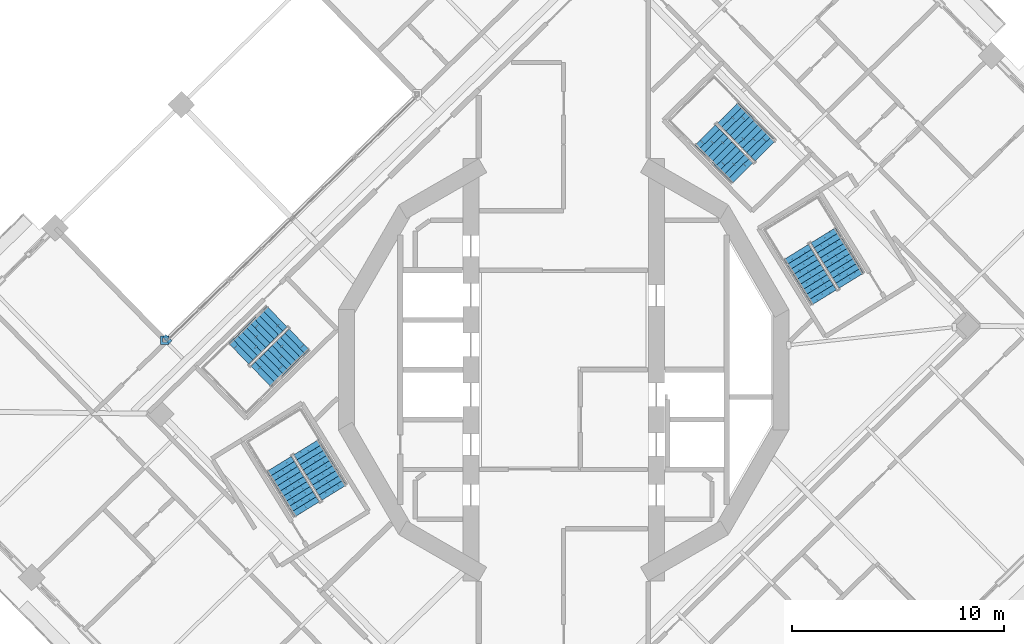
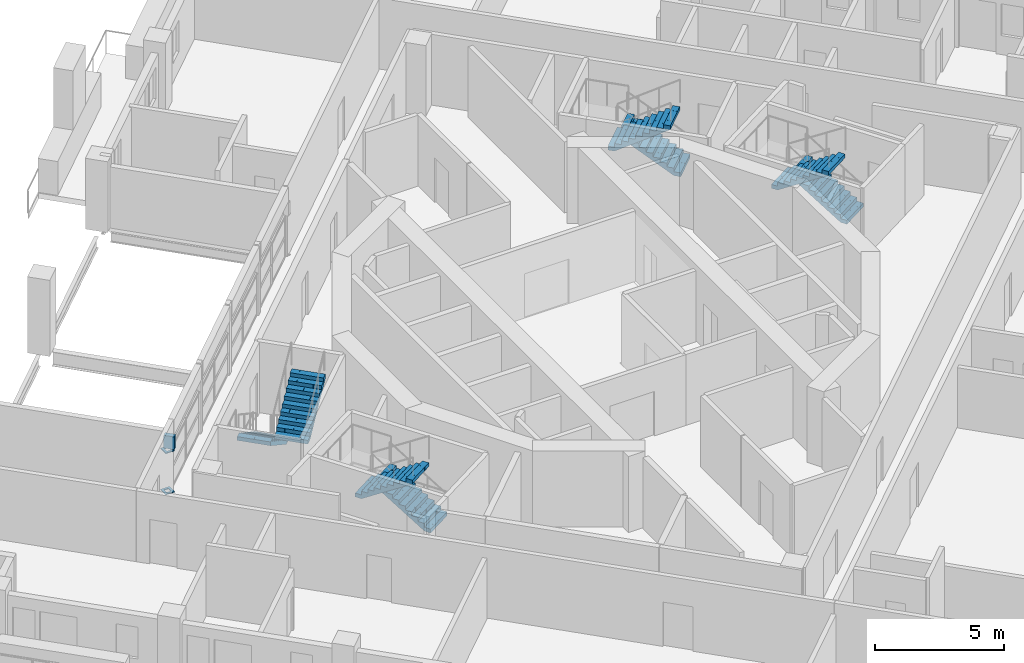
# One storey, part 14 of 21: 8 stair flights, 3 discrete accessories, 4 elements without a shape of their own.
"""IFC4 building model written with IfcOpenShell, lengths in metres."""

from ifc_helpers import new_model, si_unit, direction, frame, origin, place, context, subcontext, project, spatial, polyline, outline, extrude, material, layer, layer_set, type_object, element, aggregate, save


model = new_model("IFC4")

# Units and contexts
model_context = context("Model", 3, precision=1e-05, world=origin(), true_north=direction((0.0, 1.0)))
body_context = subcontext(model_context, "Body", "Model", "MODEL_VIEW")
ifc_project = project(units=[si_unit("LENGTHUNIT", "METRE"), si_unit("AREAUNIT", "SQUARE_METRE"), si_unit("VOLUMEUNIT", "CUBIC_METRE"), si_unit("PLANEANGLEUNIT", "RADIAN"), si_unit("MASSUNIT", "GRAM", prefix="KILO")], contexts=[model_context])

# Site, building, storey
site_placement = place(None, origin())
site = spatial("IfcSite", under=ifc_project, at=site_placement, CompositionType="ELEMENT")
building_placement = place(site_placement, origin())
building = spatial("IfcBuilding", under=site, at=building_placement, Name="Cantera Rosa Tower", CompositionType="ELEMENT")
storey_placement = place(building_placement, frame((0.0, 0.0, 234.199951171875)))
storey = spatial("IfcBuildingStorey", under=building, at=storey_placement, Name="L51", CompositionType="ELEMENT", Elevation=234.199951171875)

# Stair, stair flights
ifc_material_1 = material(Name="Concrete C35/45", Category="concrete")
stair_type = type_object("IfcStairType", Name="EXIT STAIR 1350 DOGLEG", PredefinedType="HALF_TURN_STAIR", material=ifc_material_1)
stair_1_placement = place(storey_placement, origin())
stair_1 = element("IfcStair", 1, at=stair_1_placement, inside=storey, type_object=stair_type, Name="L51 ST-41", PredefinedType="HALF_TURN_STAIR")
ifc_material_2 = material(Name="Concrete C35/45", Category="concrete")
stair_flight_type = type_object("IfcStairFlightType", Name="STAIR FLIGHT 1350 R20x180", PredefinedType="STRAIGHT", material=ifc_material_2)
stair_flight_1_placement = place(storey_placement, frame((13.5732421875, 4.2021484375, 0.0), z_axis=(0.0, 0.0, 1.0), x_axis=(-0.524976585286, 0.851116669383, 0.0)))
stair_flight_1 = element("IfcStairFlight", 2, at=stair_flight_1_placement, type_object=stair_flight_type, Name="ST-41 flight 1", NumberOfRisers=10, NumberOfTreads=9, PredefinedType="STRAIGHT", RiserHeight=0.18, TreadLength=0.28, context=body_context, shape_type="SweptSolid", body=[
    extrude(outline(polyline([(0.0, 0.0), (0.0, 0.179931640625), (0.280029296875, 0.179931640625), (0.280029296875, 0.360107421875), (0.56005859375, 0.360107421875), (0.56005859375, 0.5400390625), (0.840087890625, 0.5400390625), (0.840087890625, 0.719970703125), (1.1201171875, 0.719970703125), (1.1201171875, 0.89990234375), (1.39990234375, 0.89990234375), (1.39990234375, 1.080078125), (1.679931640625, 1.080078125), (1.679931640625, 1.260009765625), (1.9599609375, 1.260009765625), (1.9599609375, 1.43994140625), (2.239990234375, 1.43994140625), (2.239990234375, 1.6201171875), (2.52001953125, 1.6201171875), (2.52001953125, 1.800048828125), (2.52001953125, 1.44189453125), (0.277099609375, 0.0), (0.0, 0.0)])), frame((0.0, 0.675048828125, 0.0), z_axis=(0.0, -1.0, 0.0), x_axis=(1.0, 0.0, 0.0)), (0.0, 0.0, 1.0), 0.3359375),
    extrude(outline(polyline([(0.0, 0.0), (0.0, 0.179931640625), (0.280029296875, 0.179931640625), (0.280029296875, 0.360107421875), (0.56005859375, 0.360107421875), (0.56005859375, 0.5400390625), (0.840087890625, 0.5400390625), (0.840087890625, 0.719970703125), (1.1201171875, 0.719970703125), (1.1201171875, 0.89990234375), (1.39990234375, 0.89990234375), (1.39990234375, 1.080078125), (1.679931640625, 1.080078125), (1.679931640625, 1.260009765625), (1.9599609375, 1.260009765625), (1.9599609375, 1.43994140625), (2.239990234375, 1.43994140625), (2.239990234375, 1.6201171875), (2.52001953125, 1.6201171875), (2.52001953125, 1.800048828125), (2.52001953125, 1.44189453125), (0.277099609375, 0.0), (0.0, 0.0)])), frame((0.0, 0.337158203125, 0.0), z_axis=(0.0, -1.0, 0.0), x_axis=(1.0, 0.0, 0.0)), (0.0, 0.0, 1.0), 0.3359375),
    extrude(outline(polyline([(0.0, 0.0), (0.0, 0.179931640625), (0.280029296875, 0.179931640625), (0.280029296875, 0.360107421875), (0.56005859375, 0.360107421875), (0.56005859375, 0.5400390625), (0.840087890625, 0.5400390625), (0.840087890625, 0.719970703125), (1.1201171875, 0.719970703125), (1.1201171875, 0.89990234375), (1.39990234375, 0.89990234375), (1.39990234375, 1.080078125), (1.679931640625, 1.080078125), (1.679931640625, 1.260009765625), (1.9599609375, 1.260009765625), (1.9599609375, 1.43994140625), (2.239990234375, 1.43994140625), (2.239990234375, 1.6201171875), (2.52001953125, 1.6201171875), (2.52001953125, 1.800048828125), (2.52001953125, 1.44189453125), (0.277099609375, 0.0), (0.0, 0.0)])), frame((0.0, -0.000732421875, 0.0), z_axis=(0.0, -1.0, 0.0), x_axis=(1.0, 0.0, 0.0)), (0.0, 0.0, 1.0), 0.3359375),
    extrude(outline(polyline([(0.0, 0.0), (0.0, 0.179931640625), (0.280029296875, 0.179931640625), (0.280029296875, 0.360107421875), (0.56005859375, 0.360107421875), (0.56005859375, 0.5400390625), (0.840087890625, 0.5400390625), (0.840087890625, 0.719970703125), (1.1201171875, 0.719970703125), (1.1201171875, 0.89990234375), (1.39990234375, 0.89990234375), (1.39990234375, 1.080078125), (1.679931640625, 1.080078125), (1.679931640625, 1.260009765625), (1.9599609375, 1.260009765625), (1.9599609375, 1.43994140625), (2.239990234375, 1.43994140625), (2.239990234375, 1.6201171875), (2.52001953125, 1.6201171875), (2.52001953125, 1.800048828125), (2.52001953125, 1.44189453125), (0.277099609375, 0.0), (0.0, 0.0)])), frame((0.0, -0.338623046875, 0.0), z_axis=(0.0, -1.0, 0.0), x_axis=(1.0, 0.0, 0.0)), (0.0, 0.0, 1.0), 0.3359375),
])
stair_flight_2_placement = place(storey_placement, frame((10.9736328125, 5.5595703125, 1.800048828125), z_axis=(0.0, 0.0, 1.0), x_axis=(0.524976585286, -0.851116669383, 0.0)))
stair_flight_2 = element("IfcStairFlight", 3, at=stair_flight_2_placement, type_object=stair_flight_type, Name="ST-41 flight 2", NumberOfRisers=10, NumberOfTreads=9, PredefinedType="STRAIGHT", RiserHeight=0.18, TreadLength=0.28, context=body_context, shape_type="SweptSolid", body=[
    extrude(outline(polyline([(0.0, 0.0), (0.0, 0.179931640625), (0.280029296875, 0.179931640625), (0.280029296875, 0.360107421875), (0.56005859375, 0.360107421875), (0.56005859375, 0.5400390625), (0.840087890625, 0.5400390625), (0.840087890625, 0.719970703125), (1.1201171875, 0.719970703125), (1.1201171875, 0.89990234375), (1.39990234375, 0.89990234375), (1.39990234375, 1.080078125), (1.679931640625, 1.080078125), (1.679931640625, 1.260009765625), (1.9599609375, 1.260009765625), (1.9599609375, 1.43994140625), (2.239990234375, 1.43994140625), (2.239990234375, 1.6201171875), (2.52001953125, 1.6201171875), (2.52001953125, 1.800048828125), (2.52001953125, 1.44189453125), (0.277099609375, 0.0), (0.0, 0.0)])), frame((0.0, 0.675048828125, 0.0), z_axis=(0.0, -1.0, 0.0), x_axis=(1.0, 0.0, 0.0)), (0.0, 0.0, 1.0), 0.3359375),
    extrude(outline(polyline([(0.0, 0.0), (0.0, 0.179931640625), (0.280029296875, 0.179931640625), (0.280029296875, 0.360107421875), (0.56005859375, 0.360107421875), (0.56005859375, 0.5400390625), (0.840087890625, 0.5400390625), (0.840087890625, 0.719970703125), (1.1201171875, 0.719970703125), (1.1201171875, 0.89990234375), (1.39990234375, 0.89990234375), (1.39990234375, 1.080078125), (1.679931640625, 1.080078125), (1.679931640625, 1.260009765625), (1.9599609375, 1.260009765625), (1.9599609375, 1.43994140625), (2.239990234375, 1.43994140625), (2.239990234375, 1.6201171875), (2.52001953125, 1.6201171875), (2.52001953125, 1.800048828125), (2.52001953125, 1.44189453125), (0.277099609375, 0.0), (0.0, 0.0)])), frame((0.0, 0.337158203125, 0.0), z_axis=(0.0, -1.0, 0.0), x_axis=(1.0, 0.0, 0.0)), (0.0, 0.0, 1.0), 0.3359375),
    extrude(outline(polyline([(0.0, 0.0), (0.0, 0.179931640625), (0.280029296875, 0.179931640625), (0.280029296875, 0.360107421875), (0.56005859375, 0.360107421875), (0.56005859375, 0.5400390625), (0.840087890625, 0.5400390625), (0.840087890625, 0.719970703125), (1.1201171875, 0.719970703125), (1.1201171875, 0.89990234375), (1.39990234375, 0.89990234375), (1.39990234375, 1.080078125), (1.679931640625, 1.080078125), (1.679931640625, 1.260009765625), (1.9599609375, 1.260009765625), (1.9599609375, 1.43994140625), (2.239990234375, 1.43994140625), (2.239990234375, 1.6201171875), (2.52001953125, 1.6201171875), (2.52001953125, 1.800048828125), (2.52001953125, 1.44189453125), (0.277099609375, 0.0), (0.0, 0.0)])), frame((0.0, -0.000732421875, 0.0), z_axis=(0.0, -1.0, 0.0), x_axis=(1.0, 0.0, 0.0)), (0.0, 0.0, 1.0), 0.3359375),
    extrude(outline(polyline([(0.0, 0.0), (0.0, 0.179931640625), (0.280029296875, 0.179931640625), (0.280029296875, 0.360107421875), (0.56005859375, 0.360107421875), (0.56005859375, 0.5400390625), (0.840087890625, 0.5400390625), (0.840087890625, 0.719970703125), (1.1201171875, 0.719970703125), (1.1201171875, 0.89990234375), (1.39990234375, 0.89990234375), (1.39990234375, 1.080078125), (1.679931640625, 1.080078125), (1.679931640625, 1.260009765625), (1.9599609375, 1.260009765625), (1.9599609375, 1.43994140625), (2.239990234375, 1.43994140625), (2.239990234375, 1.6201171875), (2.52001953125, 1.6201171875), (2.52001953125, 1.800048828125), (2.52001953125, 1.44189453125), (0.277099609375, 0.0), (0.0, 0.0)])), frame((0.0, -0.338623046875, 0.0), z_axis=(0.0, -1.0, 0.0), x_axis=(1.0, 0.0, 0.0)), (0.0, 0.0, 1.0), 0.3359375),
])
aggregate(stair_1, [stair_flight_1, stair_flight_2])

stair_2_placement = place(storey_placement, origin())
stair_2 = element("IfcStair", 4, at=stair_2_placement, inside=storey, type_object=stair_type, Name="L51 ST-42", PredefinedType="HALF_TURN_STAIR")
stair_flight_3_placement = place(storey_placement, frame((9.514892578125, 10.32275390625, 0.0), z_axis=(0.0, 0.0, 1.0), x_axis=(-0.698831536207, 0.715286295132, 0.0)))
stair_flight_3 = element("IfcStairFlight", 5, at=stair_flight_3_placement, type_object=stair_flight_type, Name="ST-42 flight 1", NumberOfRisers=10, NumberOfTreads=9, PredefinedType="STRAIGHT", RiserHeight=0.18, TreadLength=0.28, context=body_context, shape_type="SweptSolid", body=[
    extrude(outline(polyline([(0.0, 0.0), (0.0, 0.179931640625), (0.280029296875, 0.179931640625), (0.280029296875, 0.360107421875), (0.56005859375, 0.360107421875), (0.56005859375, 0.5400390625), (0.840087890625, 0.5400390625), (0.840087890625, 0.719970703125), (1.1201171875, 0.719970703125), (1.1201171875, 0.89990234375), (1.39990234375, 0.89990234375), (1.39990234375, 1.080078125), (1.679931640625, 1.080078125), (1.679931640625, 1.260009765625), (1.9599609375, 1.260009765625), (1.9599609375, 1.43994140625), (2.239990234375, 1.43994140625), (2.239990234375, 1.6201171875), (2.52001953125, 1.6201171875), (2.52001953125, 1.800048828125), (2.52001953125, 1.44189453125), (0.277099609375, 0.0), (0.0, 0.0)])), frame((0.0, 0.675048828125, 0.0), z_axis=(0.0, -1.0, 0.0), x_axis=(1.0, 0.0, 0.0)), (0.0, 0.0, 1.0), 0.3359375),
    extrude(outline(polyline([(0.0, 0.0), (0.0, 0.179931640625), (0.280029296875, 0.179931640625), (0.280029296875, 0.360107421875), (0.56005859375, 0.360107421875), (0.56005859375, 0.5400390625), (0.840087890625, 0.5400390625), (0.840087890625, 0.719970703125), (1.1201171875, 0.719970703125), (1.1201171875, 0.89990234375), (1.39990234375, 0.89990234375), (1.39990234375, 1.080078125), (1.679931640625, 1.080078125), (1.679931640625, 1.260009765625), (1.9599609375, 1.260009765625), (1.9599609375, 1.43994140625), (2.239990234375, 1.43994140625), (2.239990234375, 1.6201171875), (2.52001953125, 1.6201171875), (2.52001953125, 1.800048828125), (2.52001953125, 1.44189453125), (0.277099609375, 0.0), (0.0, 0.0)])), frame((0.0, 0.337158203125, 0.0), z_axis=(0.0, -1.0, 0.0), x_axis=(1.0, 0.0, 0.0)), (0.0, 0.0, 1.0), 0.3359375),
    extrude(outline(polyline([(0.0, 0.0), (0.0, 0.179931640625), (0.280029296875, 0.179931640625), (0.280029296875, 0.360107421875), (0.56005859375, 0.360107421875), (0.56005859375, 0.5400390625), (0.840087890625, 0.5400390625), (0.840087890625, 0.719970703125), (1.1201171875, 0.719970703125), (1.1201171875, 0.89990234375), (1.39990234375, 0.89990234375), (1.39990234375, 1.080078125), (1.679931640625, 1.080078125), (1.679931640625, 1.260009765625), (1.9599609375, 1.260009765625), (1.9599609375, 1.43994140625), (2.239990234375, 1.43994140625), (2.239990234375, 1.6201171875), (2.52001953125, 1.6201171875), (2.52001953125, 1.800048828125), (2.52001953125, 1.44189453125), (0.277099609375, 0.0), (0.0, 0.0)])), frame((0.0, -0.000732421875, 0.0), z_axis=(0.0, -1.0, 0.0), x_axis=(1.0, 0.0, 0.0)), (0.0, 0.0, 1.0), 0.3359375),
    extrude(outline(polyline([(0.0, 0.0), (0.0, 0.179931640625), (0.280029296875, 0.179931640625), (0.280029296875, 0.360107421875), (0.56005859375, 0.360107421875), (0.56005859375, 0.5400390625), (0.840087890625, 0.5400390625), (0.840087890625, 0.719970703125), (1.1201171875, 0.719970703125), (1.1201171875, 0.89990234375), (1.39990234375, 0.89990234375), (1.39990234375, 1.080078125), (1.679931640625, 1.080078125), (1.679931640625, 1.260009765625), (1.9599609375, 1.260009765625), (1.9599609375, 1.43994140625), (2.239990234375, 1.43994140625), (2.239990234375, 1.6201171875), (2.52001953125, 1.6201171875), (2.52001953125, 1.800048828125), (2.52001953125, 1.44189453125), (0.277099609375, 0.0), (0.0, 0.0)])), frame((0.0, -0.338623046875, 0.0), z_axis=(0.0, -1.0, 0.0), x_axis=(1.0, 0.0, 0.0)), (0.0, 0.0, 1.0), 0.3359375),
])
stair_flight_4_placement = place(storey_placement, frame((6.680908203125, 11.076904296875, 1.800048828125), z_axis=(0.0, 0.0, 1.0), x_axis=(0.698831536207, -0.715286295132, 0.0)))
stair_flight_4 = element("IfcStairFlight", 6, at=stair_flight_4_placement, type_object=stair_flight_type, Name="ST-42 flight 2", NumberOfRisers=10, NumberOfTreads=9, PredefinedType="STRAIGHT", RiserHeight=0.18, TreadLength=0.28, context=body_context, shape_type="SweptSolid", body=[
    extrude(outline(polyline([(0.0, 0.0), (0.0, 0.179931640625), (0.280029296875, 0.179931640625), (0.280029296875, 0.360107421875), (0.56005859375, 0.360107421875), (0.56005859375, 0.5400390625), (0.840087890625, 0.5400390625), (0.840087890625, 0.719970703125), (1.1201171875, 0.719970703125), (1.1201171875, 0.89990234375), (1.39990234375, 0.89990234375), (1.39990234375, 1.080078125), (1.679931640625, 1.080078125), (1.679931640625, 1.260009765625), (1.9599609375, 1.260009765625), (1.9599609375, 1.43994140625), (2.239990234375, 1.43994140625), (2.239990234375, 1.6201171875), (2.52001953125, 1.6201171875), (2.52001953125, 1.800048828125), (2.52001953125, 1.44189453125), (0.277099609375, 0.0), (0.0, 0.0)])), frame((0.0, 0.675048828125, 0.0), z_axis=(0.0, -1.0, 0.0), x_axis=(1.0, 0.0, 0.0)), (0.0, 0.0, 1.0), 0.3359375),
    extrude(outline(polyline([(0.0, 0.0), (0.0, 0.179931640625), (0.280029296875, 0.179931640625), (0.280029296875, 0.360107421875), (0.56005859375, 0.360107421875), (0.56005859375, 0.5400390625), (0.840087890625, 0.5400390625), (0.840087890625, 0.719970703125), (1.1201171875, 0.719970703125), (1.1201171875, 0.89990234375), (1.39990234375, 0.89990234375), (1.39990234375, 1.080078125), (1.679931640625, 1.080078125), (1.679931640625, 1.260009765625), (1.9599609375, 1.260009765625), (1.9599609375, 1.43994140625), (2.239990234375, 1.43994140625), (2.239990234375, 1.6201171875), (2.52001953125, 1.6201171875), (2.52001953125, 1.800048828125), (2.52001953125, 1.44189453125), (0.277099609375, 0.0), (0.0, 0.0)])), frame((0.0, 0.337158203125, 0.0), z_axis=(0.0, -1.0, 0.0), x_axis=(1.0, 0.0, 0.0)), (0.0, 0.0, 1.0), 0.3359375),
    extrude(outline(polyline([(0.0, 0.0), (0.0, 0.179931640625), (0.280029296875, 0.179931640625), (0.280029296875, 0.360107421875), (0.56005859375, 0.360107421875), (0.56005859375, 0.5400390625), (0.840087890625, 0.5400390625), (0.840087890625, 0.719970703125), (1.1201171875, 0.719970703125), (1.1201171875, 0.89990234375), (1.39990234375, 0.89990234375), (1.39990234375, 1.080078125), (1.679931640625, 1.080078125), (1.679931640625, 1.260009765625), (1.9599609375, 1.260009765625), (1.9599609375, 1.43994140625), (2.239990234375, 1.43994140625), (2.239990234375, 1.6201171875), (2.52001953125, 1.6201171875), (2.52001953125, 1.800048828125), (2.52001953125, 1.44189453125), (0.277099609375, 0.0), (0.0, 0.0)])), frame((0.0, -0.000732421875, 0.0), z_axis=(0.0, -1.0, 0.0), x_axis=(1.0, 0.0, 0.0)), (0.0, 0.0, 1.0), 0.3359375),
    extrude(outline(polyline([(0.0, 0.0), (0.0, 0.179931640625), (0.280029296875, 0.179931640625), (0.280029296875, 0.360107421875), (0.56005859375, 0.360107421875), (0.56005859375, 0.5400390625), (0.840087890625, 0.5400390625), (0.840087890625, 0.719970703125), (1.1201171875, 0.719970703125), (1.1201171875, 0.89990234375), (1.39990234375, 0.89990234375), (1.39990234375, 1.080078125), (1.679931640625, 1.080078125), (1.679931640625, 1.260009765625), (1.9599609375, 1.260009765625), (1.9599609375, 1.43994140625), (2.239990234375, 1.43994140625), (2.239990234375, 1.6201171875), (2.52001953125, 1.6201171875), (2.52001953125, 1.800048828125), (2.52001953125, 1.44189453125), (0.277099609375, 0.0), (0.0, 0.0)])), frame((0.0, -0.338623046875, 0.0), z_axis=(0.0, -1.0, 0.0), x_axis=(1.0, 0.0, 0.0)), (0.0, 0.0, 1.0), 0.3359375),
])
aggregate(stair_2, [stair_flight_3, stair_flight_4])

stair_3_placement = place(storey_placement, origin())
stair_3 = element("IfcStair", 7, at=stair_3_placement, inside=storey, type_object=stair_type, Name="L51 ST-43", PredefinedType="HALF_TURN_STAIR")
stair_flight_5_placement = place(storey_placement, frame((-13.522705078125, 2.514892578125, 0.0), z_axis=(0.0, 0.0, 1.0), x_axis=(-0.715286295132, -0.698831536207, 0.0)))
stair_flight_5 = element("IfcStairFlight", 8, at=stair_flight_5_placement, type_object=stair_flight_type, Name="ST-43 flight 1", NumberOfRisers=10, NumberOfTreads=9, PredefinedType="STRAIGHT", RiserHeight=0.18, TreadLength=0.28, context=body_context, shape_type="SweptSolid", body=[
    extrude(outline(polyline([(0.0, 0.0), (0.0, 0.179931640625), (0.280029296875, 0.179931640625), (0.280029296875, 0.360107421875), (0.56005859375, 0.360107421875), (0.56005859375, 0.5400390625), (0.840087890625, 0.5400390625), (0.840087890625, 0.719970703125), (1.1201171875, 0.719970703125), (1.1201171875, 0.89990234375), (1.39990234375, 0.89990234375), (1.39990234375, 1.080078125), (1.679931640625, 1.080078125), (1.679931640625, 1.260009765625), (1.9599609375, 1.260009765625), (1.9599609375, 1.43994140625), (2.239990234375, 1.43994140625), (2.239990234375, 1.6201171875), (2.52001953125, 1.6201171875), (2.52001953125, 1.800048828125), (2.52001953125, 1.44189453125), (0.277099609375, 0.0), (0.0, 0.0)])), frame((0.0, 0.675048828125, 0.0), z_axis=(0.0, -1.0, 0.0), x_axis=(1.0, 0.0, 0.0)), (0.0, 0.0, 1.0), 0.3359375),
    extrude(outline(polyline([(0.0, 0.0), (0.0, 0.179931640625), (0.280029296875, 0.179931640625), (0.280029296875, 0.360107421875), (0.56005859375, 0.360107421875), (0.56005859375, 0.5400390625), (0.840087890625, 0.5400390625), (0.840087890625, 0.719970703125), (1.1201171875, 0.719970703125), (1.1201171875, 0.89990234375), (1.39990234375, 0.89990234375), (1.39990234375, 1.080078125), (1.679931640625, 1.080078125), (1.679931640625, 1.260009765625), (1.9599609375, 1.260009765625), (1.9599609375, 1.43994140625), (2.239990234375, 1.43994140625), (2.239990234375, 1.6201171875), (2.52001953125, 1.6201171875), (2.52001953125, 1.800048828125), (2.52001953125, 1.44189453125), (0.277099609375, 0.0), (0.0, 0.0)])), frame((0.0, 0.337158203125, 0.0), z_axis=(0.0, -1.0, 0.0), x_axis=(1.0, 0.0, 0.0)), (0.0, 0.0, 1.0), 0.3359375),
    extrude(outline(polyline([(0.0, 0.0), (0.0, 0.179931640625), (0.280029296875, 0.179931640625), (0.280029296875, 0.360107421875), (0.56005859375, 0.360107421875), (0.56005859375, 0.5400390625), (0.840087890625, 0.5400390625), (0.840087890625, 0.719970703125), (1.1201171875, 0.719970703125), (1.1201171875, 0.89990234375), (1.39990234375, 0.89990234375), (1.39990234375, 1.080078125), (1.679931640625, 1.080078125), (1.679931640625, 1.260009765625), (1.9599609375, 1.260009765625), (1.9599609375, 1.43994140625), (2.239990234375, 1.43994140625), (2.239990234375, 1.6201171875), (2.52001953125, 1.6201171875), (2.52001953125, 1.800048828125), (2.52001953125, 1.44189453125), (0.277099609375, 0.0), (0.0, 0.0)])), frame((0.0, -0.000732421875, 0.0), z_axis=(0.0, -1.0, 0.0), x_axis=(1.0, 0.0, 0.0)), (0.0, 0.0, 1.0), 0.3359375),
    extrude(outline(polyline([(0.0, 0.0), (0.0, 0.179931640625), (0.280029296875, 0.179931640625), (0.280029296875, 0.360107421875), (0.56005859375, 0.360107421875), (0.56005859375, 0.5400390625), (0.840087890625, 0.5400390625), (0.840087890625, 0.719970703125), (1.1201171875, 0.719970703125), (1.1201171875, 0.89990234375), (1.39990234375, 0.89990234375), (1.39990234375, 1.080078125), (1.679931640625, 1.080078125), (1.679931640625, 1.260009765625), (1.9599609375, 1.260009765625), (1.9599609375, 1.43994140625), (2.239990234375, 1.43994140625), (2.239990234375, 1.6201171875), (2.52001953125, 1.6201171875), (2.52001953125, 1.800048828125), (2.52001953125, 1.44189453125), (0.277099609375, 0.0), (0.0, 0.0)])), frame((0.0, -0.338623046875, 0.0), z_axis=(0.0, -1.0, 0.0), x_axis=(1.0, 0.0, 0.0)), (0.0, 0.0, 1.0), 0.3359375),
])
stair_flight_6_placement = place(storey_placement, frame((-14.277099609375, -0.319091796875, 1.800048828125), z_axis=(0.0, 0.0, 1.0), x_axis=(0.715286295132, 0.698831536207, 0.0)))
stair_flight_6 = element("IfcStairFlight", 9, at=stair_flight_6_placement, type_object=stair_flight_type, Name="ST-43 flight 2", NumberOfRisers=10, NumberOfTreads=9, PredefinedType="STRAIGHT", RiserHeight=0.18, TreadLength=0.28, context=body_context, shape_type="SweptSolid", body=[
    extrude(outline(polyline([(0.0, 0.0), (0.0, 0.179931640625), (0.280029296875, 0.179931640625), (0.280029296875, 0.360107421875), (0.56005859375, 0.360107421875), (0.56005859375, 0.5400390625), (0.840087890625, 0.5400390625), (0.840087890625, 0.719970703125), (1.1201171875, 0.719970703125), (1.1201171875, 0.89990234375), (1.39990234375, 0.89990234375), (1.39990234375, 1.080078125), (1.679931640625, 1.080078125), (1.679931640625, 1.260009765625), (1.9599609375, 1.260009765625), (1.9599609375, 1.43994140625), (2.239990234375, 1.43994140625), (2.239990234375, 1.6201171875), (2.52001953125, 1.6201171875), (2.52001953125, 1.800048828125), (2.52001953125, 1.44189453125), (0.277099609375, 0.0), (0.0, 0.0)])), frame((0.0, 0.675048828125, 0.0), z_axis=(0.0, -1.0, 0.0), x_axis=(1.0, 0.0, 0.0)), (0.0, 0.0, 1.0), 0.3359375),
    extrude(outline(polyline([(0.0, 0.0), (0.0, 0.179931640625), (0.280029296875, 0.179931640625), (0.280029296875, 0.360107421875), (0.56005859375, 0.360107421875), (0.56005859375, 0.5400390625), (0.840087890625, 0.5400390625), (0.840087890625, 0.719970703125), (1.1201171875, 0.719970703125), (1.1201171875, 0.89990234375), (1.39990234375, 0.89990234375), (1.39990234375, 1.080078125), (1.679931640625, 1.080078125), (1.679931640625, 1.260009765625), (1.9599609375, 1.260009765625), (1.9599609375, 1.43994140625), (2.239990234375, 1.43994140625), (2.239990234375, 1.6201171875), (2.52001953125, 1.6201171875), (2.52001953125, 1.800048828125), (2.52001953125, 1.44189453125), (0.277099609375, 0.0), (0.0, 0.0)])), frame((0.0, 0.337158203125, 0.0), z_axis=(0.0, -1.0, 0.0), x_axis=(1.0, 0.0, 0.0)), (0.0, 0.0, 1.0), 0.3359375),
    extrude(outline(polyline([(0.0, 0.0), (0.0, 0.179931640625), (0.280029296875, 0.179931640625), (0.280029296875, 0.360107421875), (0.56005859375, 0.360107421875), (0.56005859375, 0.5400390625), (0.840087890625, 0.5400390625), (0.840087890625, 0.719970703125), (1.1201171875, 0.719970703125), (1.1201171875, 0.89990234375), (1.39990234375, 0.89990234375), (1.39990234375, 1.080078125), (1.679931640625, 1.080078125), (1.679931640625, 1.260009765625), (1.9599609375, 1.260009765625), (1.9599609375, 1.43994140625), (2.239990234375, 1.43994140625), (2.239990234375, 1.6201171875), (2.52001953125, 1.6201171875), (2.52001953125, 1.800048828125), (2.52001953125, 1.44189453125), (0.277099609375, 0.0), (0.0, 0.0)])), frame((0.0, -0.000732421875, 0.0), z_axis=(0.0, -1.0, 0.0), x_axis=(1.0, 0.0, 0.0)), (0.0, 0.0, 1.0), 0.3359375),
    extrude(outline(polyline([(0.0, 0.0), (0.0, 0.179931640625), (0.280029296875, 0.179931640625), (0.280029296875, 0.360107421875), (0.56005859375, 0.360107421875), (0.56005859375, 0.5400390625), (0.840087890625, 0.5400390625), (0.840087890625, 0.719970703125), (1.1201171875, 0.719970703125), (1.1201171875, 0.89990234375), (1.39990234375, 0.89990234375), (1.39990234375, 1.080078125), (1.679931640625, 1.080078125), (1.679931640625, 1.260009765625), (1.9599609375, 1.260009765625), (1.9599609375, 1.43994140625), (2.239990234375, 1.43994140625), (2.239990234375, 1.6201171875), (2.52001953125, 1.6201171875), (2.52001953125, 1.800048828125), (2.52001953125, 1.44189453125), (0.277099609375, 0.0), (0.0, 0.0)])), frame((0.0, -0.338623046875, 0.0), z_axis=(0.0, -1.0, 0.0), x_axis=(1.0, 0.0, 0.0)), (0.0, 0.0, 1.0), 0.3359375),
])
aggregate(stair_3, [stair_flight_5, stair_flight_6])

stair_4_placement = place(storey_placement, origin())
stair_4 = element("IfcStair", 10, at=stair_4_placement, inside=storey, type_object=stair_type, Name="L51 ST-44", PredefinedType="HALF_TURN_STAIR")
stair_flight_7_placement = place(storey_placement, frame((-10.82666015625, -5.7978515625, 0.0), z_axis=(0.0, 0.0, 1.0), x_axis=(-0.524976585286, 0.851116669383, 0.0)))
stair_flight_7 = element("IfcStairFlight", 11, at=stair_flight_7_placement, type_object=stair_flight_type, Name="ST-44 flight 1", NumberOfRisers=10, NumberOfTreads=9, PredefinedType="STRAIGHT", RiserHeight=0.18, TreadLength=0.28, context=body_context, shape_type="SweptSolid", body=[
    extrude(outline(polyline([(0.0, 0.0), (0.0, 0.179931640625), (0.280029296875, 0.179931640625), (0.280029296875, 0.360107421875), (0.56005859375, 0.360107421875), (0.56005859375, 0.5400390625), (0.840087890625, 0.5400390625), (0.840087890625, 0.719970703125), (1.1201171875, 0.719970703125), (1.1201171875, 0.89990234375), (1.39990234375, 0.89990234375), (1.39990234375, 1.080078125), (1.679931640625, 1.080078125), (1.679931640625, 1.260009765625), (1.9599609375, 1.260009765625), (1.9599609375, 1.43994140625), (2.239990234375, 1.43994140625), (2.239990234375, 1.6201171875), (2.52001953125, 1.6201171875), (2.52001953125, 1.800048828125), (2.52001953125, 1.44189453125), (0.277099609375, 0.0), (0.0, 0.0)])), frame((0.0, 0.675048828125, 0.0), z_axis=(0.0, -1.0, 0.0), x_axis=(1.0, 0.0, 0.0)), (0.0, 0.0, 1.0), 0.3359375),
    extrude(outline(polyline([(0.0, 0.0), (0.0, 0.179931640625), (0.280029296875, 0.179931640625), (0.280029296875, 0.360107421875), (0.56005859375, 0.360107421875), (0.56005859375, 0.5400390625), (0.840087890625, 0.5400390625), (0.840087890625, 0.719970703125), (1.1201171875, 0.719970703125), (1.1201171875, 0.89990234375), (1.39990234375, 0.89990234375), (1.39990234375, 1.080078125), (1.679931640625, 1.080078125), (1.679931640625, 1.260009765625), (1.9599609375, 1.260009765625), (1.9599609375, 1.43994140625), (2.239990234375, 1.43994140625), (2.239990234375, 1.6201171875), (2.52001953125, 1.6201171875), (2.52001953125, 1.800048828125), (2.52001953125, 1.44189453125), (0.277099609375, 0.0), (0.0, 0.0)])), frame((0.0, 0.337158203125, 0.0), z_axis=(0.0, -1.0, 0.0), x_axis=(1.0, 0.0, 0.0)), (0.0, 0.0, 1.0), 0.3359375),
    extrude(outline(polyline([(0.0, 0.0), (0.0, 0.179931640625), (0.280029296875, 0.179931640625), (0.280029296875, 0.360107421875), (0.56005859375, 0.360107421875), (0.56005859375, 0.5400390625), (0.840087890625, 0.5400390625), (0.840087890625, 0.719970703125), (1.1201171875, 0.719970703125), (1.1201171875, 0.89990234375), (1.39990234375, 0.89990234375), (1.39990234375, 1.080078125), (1.679931640625, 1.080078125), (1.679931640625, 1.260009765625), (1.9599609375, 1.260009765625), (1.9599609375, 1.43994140625), (2.239990234375, 1.43994140625), (2.239990234375, 1.6201171875), (2.52001953125, 1.6201171875), (2.52001953125, 1.800048828125), (2.52001953125, 1.44189453125), (0.277099609375, 0.0), (0.0, 0.0)])), frame((0.0, -0.000732421875, 0.0), z_axis=(0.0, -1.0, 0.0), x_axis=(1.0, 0.0, 0.0)), (0.0, 0.0, 1.0), 0.3359375),
    extrude(outline(polyline([(0.0, 0.0), (0.0, 0.179931640625), (0.280029296875, 0.179931640625), (0.280029296875, 0.360107421875), (0.56005859375, 0.360107421875), (0.56005859375, 0.5400390625), (0.840087890625, 0.5400390625), (0.840087890625, 0.719970703125), (1.1201171875, 0.719970703125), (1.1201171875, 0.89990234375), (1.39990234375, 0.89990234375), (1.39990234375, 1.080078125), (1.679931640625, 1.080078125), (1.679931640625, 1.260009765625), (1.9599609375, 1.260009765625), (1.9599609375, 1.43994140625), (2.239990234375, 1.43994140625), (2.239990234375, 1.6201171875), (2.52001953125, 1.6201171875), (2.52001953125, 1.800048828125), (2.52001953125, 1.44189453125), (0.277099609375, 0.0), (0.0, 0.0)])), frame((0.0, -0.338623046875, 0.0), z_axis=(0.0, -1.0, 0.0), x_axis=(1.0, 0.0, 0.0)), (0.0, 0.0, 1.0), 0.3359375),
])
stair_flight_8_placement = place(storey_placement, frame((-13.42626953125, -4.4404296875, 1.800048828125), z_axis=(0.0, 0.0, 1.0), x_axis=(0.524976585286, -0.851116669383, 0.0)))
stair_flight_8 = element("IfcStairFlight", 12, at=stair_flight_8_placement, type_object=stair_flight_type, Name="ST-44 flight 2", NumberOfRisers=10, NumberOfTreads=9, PredefinedType="STRAIGHT", RiserHeight=0.18, TreadLength=0.28, context=body_context, shape_type="SweptSolid", body=[
    extrude(outline(polyline([(0.0, 0.0), (0.0, 0.179931640625), (0.280029296875, 0.179931640625), (0.280029296875, 0.360107421875), (0.56005859375, 0.360107421875), (0.56005859375, 0.5400390625), (0.840087890625, 0.5400390625), (0.840087890625, 0.719970703125), (1.1201171875, 0.719970703125), (1.1201171875, 0.89990234375), (1.39990234375, 0.89990234375), (1.39990234375, 1.080078125), (1.679931640625, 1.080078125), (1.679931640625, 1.260009765625), (1.9599609375, 1.260009765625), (1.9599609375, 1.43994140625), (2.239990234375, 1.43994140625), (2.239990234375, 1.6201171875), (2.52001953125, 1.6201171875), (2.52001953125, 1.800048828125), (2.52001953125, 1.44189453125), (0.277099609375, 0.0), (0.0, 0.0)])), frame((0.0, 0.675048828125, 0.0), z_axis=(0.0, -1.0, 0.0), x_axis=(1.0, 0.0, 0.0)), (0.0, 0.0, 1.0), 0.3359375),
    extrude(outline(polyline([(0.0, 0.0), (0.0, 0.179931640625), (0.280029296875, 0.179931640625), (0.280029296875, 0.360107421875), (0.56005859375, 0.360107421875), (0.56005859375, 0.5400390625), (0.840087890625, 0.5400390625), (0.840087890625, 0.719970703125), (1.1201171875, 0.719970703125), (1.1201171875, 0.89990234375), (1.39990234375, 0.89990234375), (1.39990234375, 1.080078125), (1.679931640625, 1.080078125), (1.679931640625, 1.260009765625), (1.9599609375, 1.260009765625), (1.9599609375, 1.43994140625), (2.239990234375, 1.43994140625), (2.239990234375, 1.6201171875), (2.52001953125, 1.6201171875), (2.52001953125, 1.800048828125), (2.52001953125, 1.44189453125), (0.277099609375, 0.0), (0.0, 0.0)])), frame((0.0, 0.337158203125, 0.0), z_axis=(0.0, -1.0, 0.0), x_axis=(1.0, 0.0, 0.0)), (0.0, 0.0, 1.0), 0.3359375),
    extrude(outline(polyline([(0.0, 0.0), (0.0, 0.179931640625), (0.280029296875, 0.179931640625), (0.280029296875, 0.360107421875), (0.56005859375, 0.360107421875), (0.56005859375, 0.5400390625), (0.840087890625, 0.5400390625), (0.840087890625, 0.719970703125), (1.1201171875, 0.719970703125), (1.1201171875, 0.89990234375), (1.39990234375, 0.89990234375), (1.39990234375, 1.080078125), (1.679931640625, 1.080078125), (1.679931640625, 1.260009765625), (1.9599609375, 1.260009765625), (1.9599609375, 1.43994140625), (2.239990234375, 1.43994140625), (2.239990234375, 1.6201171875), (2.52001953125, 1.6201171875), (2.52001953125, 1.800048828125), (2.52001953125, 1.44189453125), (0.277099609375, 0.0), (0.0, 0.0)])), frame((0.0, -0.000732421875, 0.0), z_axis=(0.0, -1.0, 0.0), x_axis=(1.0, 0.0, 0.0)), (0.0, 0.0, 1.0), 0.3359375),
    extrude(outline(polyline([(0.0, 0.0), (0.0, 0.179931640625), (0.280029296875, 0.179931640625), (0.280029296875, 0.360107421875), (0.56005859375, 0.360107421875), (0.56005859375, 0.5400390625), (0.840087890625, 0.5400390625), (0.840087890625, 0.719970703125), (1.1201171875, 0.719970703125), (1.1201171875, 0.89990234375), (1.39990234375, 0.89990234375), (1.39990234375, 1.080078125), (1.679931640625, 1.080078125), (1.679931640625, 1.260009765625), (1.9599609375, 1.260009765625), (1.9599609375, 1.43994140625), (2.239990234375, 1.43994140625), (2.239990234375, 1.6201171875), (2.52001953125, 1.6201171875), (2.52001953125, 1.800048828125), (2.52001953125, 1.44189453125), (0.277099609375, 0.0), (0.0, 0.0)])), frame((0.0, -0.338623046875, 0.0), z_axis=(0.0, -1.0, 0.0), x_axis=(1.0, 0.0, 0.0)), (0.0, 0.0, 1.0), 0.3359375),
])
aggregate(stair_4, [stair_flight_7, stair_flight_8])

# Discrete accessories
ifc_material_3 = material(Name="Steel ASTM A992 (Fy 345 MPa)", Category="steel")
ifc_layer = layer(ifc_material_3, 0.0400390625)
ifc_layer_set = layer_set([ifc_layer], Name="STEEL BEARING PLATE 40")
discrete_accessory_type = type_object("IfcDiscreteAccessoryType", Name="STEEL BEARING PLATE 40", PredefinedType="ANCHORPLATE", material=ifc_layer_set)
for number, where, name in (
    (13, (0.0, 0.0, 0.0), "POST PLATE L51-2F"),
    (14, (0.0, 0.0, 1.949951171875), "POST PLATE L51-2T"),
):
    element("IfcDiscreteAccessory", number, at=place(storey_placement, frame(where)), inside=storey, type_object=discrete_accessory_type, Name=name, PredefinedType="ANCHORPLATE", context=body_context, shape_type="SweptSolid", body=[
        extrude(outline(polyline([(-19.01513671875, 1.199951171875), (-18.615234375, 1.199951171875), (-18.615234375, 1.599853515625), (-19.01513671875, 1.599853515625), (-19.01513671875, 1.199951171875)]), holes=[polyline([(-18.915283203125, 1.2998046875), (-18.715087890625, 1.2998046875), (-18.715087890625, 1.5), (-18.915283203125, 1.5), (-18.915283203125, 1.2998046875)])]), origin(), (0.0, 0.0, 1.0), 0.0400390625),
    ])
discrete_accessory_placement = place(storey_placement, frame((0.0, 0.0, 1.989990234375)))
element("IfcDiscreteAccessory", 15, at=discrete_accessory_placement, inside=storey, type_object=discrete_accessory_type, Name="LINTEL PLATE L51-2", PredefinedType="ANCHORPLATE", context=body_context, shape_type="SweptSolid", body=[
    extrude(outline(polyline([(-18.768798828125, 1.67431640625), (-18.912109375, 1.53466796875), (-18.61279296875, 1.228515625), (-18.4697265625, 1.368408203125), (-18.768798828125, 1.67431640625)])), origin(), (0.0, 0.0, 1.0), 0.60205078125),
])

save(model, "model.ifc")
